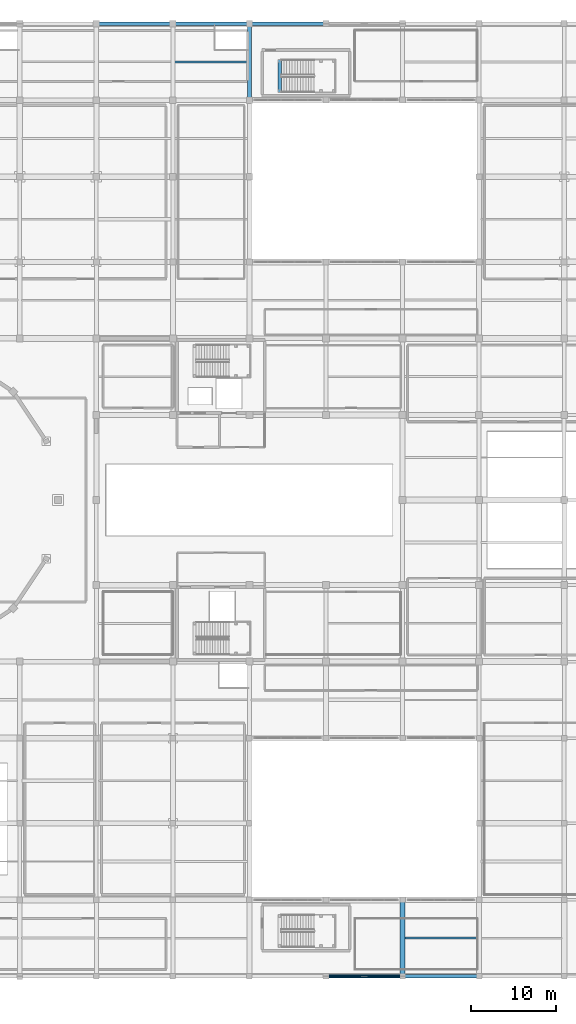
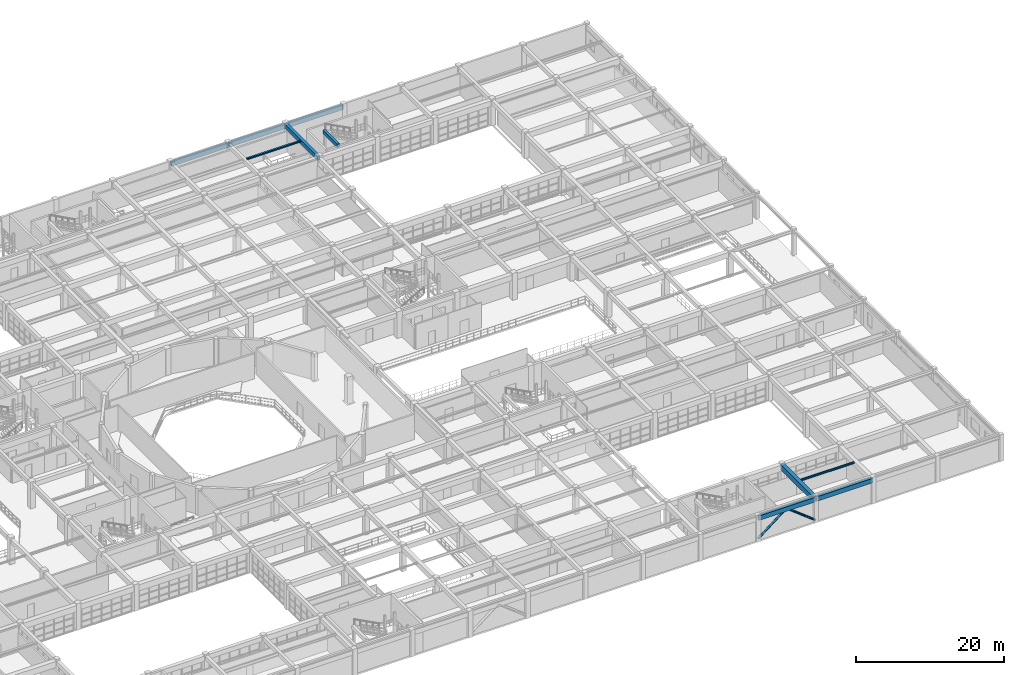
# One storey, part 76 of 133: 10 beams, 2 members.
"""IFC4 building model written with IfcOpenShell, lengths in metres."""

from ifc_helpers import new_model, si_unit, direction, frame, origin, origin_2d, place, context, subcontext, project, spatial, rectangle, hollow_circle, i_section, extrude, material, material_profile, profile_set, type_object, element, save


model = new_model("IFC4")

# Units and contexts
model_context = context("Model", 3, precision=1e-05, world=origin(), true_north=direction((0.0, 1.0)))
body_context = subcontext(model_context, "Body", "Model", "MODEL_VIEW")
ifc_project = project(units=[si_unit("LENGTHUNIT", "METRE"), si_unit("AREAUNIT", "SQUARE_METRE"), si_unit("VOLUMEUNIT", "CUBIC_METRE"), si_unit("PLANEANGLEUNIT", "RADIAN"), si_unit("MASSUNIT", "GRAM", prefix="KILO")], contexts=[model_context])

# Site, building, storey
site_placement = place(None, origin())
site = spatial("IfcSite", under=ifc_project, at=site_placement, CompositionType="ELEMENT")
building_placement = place(site_placement, origin())
building = spatial("IfcBuilding", under=site, at=building_placement, Name="Miravela Opera House", CompositionType="ELEMENT")
storey_placement = place(building_placement, frame((0.0, 0.0, 5.10009765625)))
storey = spatial("IfcBuildingStorey", under=building, at=storey_placement, Name="L01", CompositionType="ELEMENT", Elevation=5.10009765625)

# Beams
ifc_material_1 = material(Name="Concrete C35/45", Category="concrete")
ifc_material_profile_1 = material_profile(ifc_material_1, rectangle(XDim=0.39990234375, YDim=0.60009765625, at=origin_2d()), Name="RC-BM-400X600")
ifc_profile_set_1 = profile_set([ifc_material_profile_1])
beam_type_1 = type_object("IfcBeamType", Name="STR-BM-RC400X600", PredefinedType="JOIST", material=ifc_profile_set_1)
beam_1_placement = place(storey_placement, frame((120.5400390625, 103.89990234375, 4.119873046875), z_axis=(0.0, 1.0, 0.0), x_axis=(-1.0, 0.0, 0.0)))
element("IfcBeam", 1, at=beam_1_placement, inside=storey, type_object=beam_type_1, Name="Stair ST-09 Opening Header Trimmer Beam 02", PredefinedType="JOIST", context=body_context, shape_type="SweptSolid", body=[
    extrude(rectangle(XDim=0.39990234375, YDim=0.60009765625, at=origin_2d()), origin(), (0.0, 0.0, 1.0), 3.880126953125),
])
ifc_material_profile_2 = material_profile(ifc_material_1, rectangle(XDim=0.449951171875, YDim=0.64990234375, at=origin_2d()), Name="RC-BM-450X650")
ifc_profile_set_2 = profile_set([ifc_material_profile_2])
beam_type_2 = type_object("IfcBeamType", Name="STR-BM-RC450X650", PredefinedType="BEAM", material=ifc_profile_set_2)
beam_2_placement = place(storey_placement, frame((117.0, 103.080078125, 3.8349609375), z_axis=(0.0, 1.0, 0.0), x_axis=(-1.0, 0.0, 0.0)))
element("IfcBeam", 2, at=beam_2_placement, inside=storey, type_object=beam_type_2, Name="Floor Girder L01 14/L-M", PredefinedType="BEAM", context=body_context, shape_type="SweptSolid", body=[
    extrude(rectangle(XDim=0.449951171875, YDim=0.64990234375, at=origin_2d()), origin(), (0.0, 0.0, 1.0), 8.83984375),
])
ifc_material_2 = material(Name="Concrete C40/50", Category="concrete")
ifc_material_profile_3 = material_profile(ifc_material_2, rectangle(XDim=0.60009765625, YDim=0.85009765625, at=origin_2d()), Name="RC-BM-600X850")
ifc_profile_set_3 = profile_set([ifc_material_profile_3])
beam_type_3 = type_object("IfcBeamType", Name="STR-BM-RC600X850", PredefinedType="BEAM", material=ifc_profile_set_3)
beam_3_placement = place(storey_placement, frame((135.0, 0.080078125, 3.73486328125), z_axis=(0.0, 1.0, 0.0), x_axis=(-1.0, 0.0, 0.0)))
element("IfcBeam", 3, at=beam_3_placement, inside=storey, type_object=beam_type_3, Name="Floor Girder L01 16/A-B", PredefinedType="BEAM", context=body_context, shape_type="SweptSolid", body=[
    extrude(rectangle(XDim=0.60009765625, YDim=0.85009765625, at=origin_2d()), origin(), (0.0, 0.0, 1.0), 8.83984375),
])
ifc_material_3 = material(Name="Structural steel ASTM A992 Gr. 50", Category="steel")
ifc_material_profile_4 = material_profile(ifc_material_3, i_section(OverallWidth=0.25390625, OverallDepth=0.2529296875, WebThickness=0.008544921875, FlangeThickness=0.01416015625, FilletRadius=0.011962890625, at=origin_2d()), Name="W250X73")
ifc_profile_set_4 = profile_set([ifc_material_profile_4])
beam_type_4 = type_object("IfcBeamType", Name="STR-BM-W250X73", PredefinedType="JOIST", material=ifc_profile_set_4)
beam_4_placement = place(storey_placement, frame((108.2099609375, 107.5, 4.033447265625), z_axis=(1.0, 0.0, 0.0), x_axis=(0.0, 1.0, 0.0)))
element("IfcBeam", 4, at=beam_4_placement, inside=storey, type_object=beam_type_4, Name="Secondary Floor Joist L01 13-14/L-M", PredefinedType="JOIST", context=body_context, shape_type="SweptSolid", body=[
    extrude(i_section(OverallWidth=0.25390625, OverallDepth=0.2529296875, WebThickness=0.008544921875, FlangeThickness=0.01416015625, FilletRadius=0.011962890625, at=origin_2d()), origin(), (0.0, 0.0, 1.0), 8.580078125),
])
ifc_material_profile_5 = material_profile(ifc_material_3, i_section(OverallWidth=0.202880859375, OverallDepth=0.302978515625, WebThickness=0.007568359375, FlangeThickness=0.01318359375, FilletRadius=0.012939453125, at=origin_2d()), Name="W310X60")
ifc_profile_set_5 = profile_set([ifc_material_profile_5])
beam_type_5 = type_object("IfcBeamType", Name="STR-BM-W310X60", PredefinedType="JOIST", material=ifc_profile_set_5)
beam_5_placement = place(storey_placement, frame((135.284912109375, 4.5, 4.00830078125), z_axis=(1.0, 0.0, 0.0), x_axis=(0.0, 1.0, 0.0)))
element("IfcBeam", 5, at=beam_5_placement, inside=storey, type_object=beam_type_5, Name="Secondary Floor Joist L01 16-17/A-B", PredefinedType="JOIST", context=body_context, shape_type="SweptSolid", body=[
    extrude(i_section(OverallWidth=0.202880859375, OverallDepth=0.302978515625, WebThickness=0.007568359375, FlangeThickness=0.01318359375, FilletRadius=0.012939453125, at=origin_2d()), origin(), (0.0, 0.0, 1.0), 8.43017578125),
])

# Members
ifc_material_4 = material(Name="Hollow structural steel ASTM A500 Gr. C", Category="steel")
ifc_material_profile_6 = material_profile(ifc_material_4, hollow_circle(Radius=0.177734375, WallThickness=0.011962890625, at=origin_2d()), Name="CHS356X12")
ifc_profile_set_6 = profile_set([ifc_material_profile_6])
member_type = type_object("IfcMemberType", Name="STR-MEM-BRACE-CHS356", PredefinedType="BRACE", material=ifc_profile_set_6)
for number, where, z_axis, x_axis, name in (
    (6, (126.0, 0.0, 0.2998046875), (0.788501476184, 0.0, 0.615032862581), (0.0, 1.0, 0.0), "Concentric Braced Frame BF-S3 L01 Left Brace"),
    (7, (135.0, 0.0, 0.2998046875), (-0.788501476184, 0.0, 0.615032862581), (0.0, -1.0, 0.0), "Concentric Braced Frame BF-S3 L01 Right Brace"),
):
    element("IfcMember", number, at=place(storey_placement, frame(where, z_axis=z_axis, x_axis=x_axis)), inside=storey, type_object=member_type, Name=name, PredefinedType="BRACE", context=body_context, shape_type="SweptSolid", body=[
        extrude(hollow_circle(Radius=0.177734375, WallThickness=0.011962890625, at=origin_2d()), origin(), (0.0, 0.0, 1.0), 5.70703125),
    ])

# Beams
ifc_material_profile_7 = material_profile(ifc_material_1, rectangle(XDim=0.39990234375, YDim=0.75, at=origin_2d()), Name="RC-SPN-400X750")
ifc_profile_set_7 = profile_set([ifc_material_profile_7])
beam_type_6 = type_object("IfcBeamType", Name="STR-SPN-RC400X750", PredefinedType="SPANDREL", material=ifc_profile_set_7)
for number, where, z_axis, x_axis, name in (
    (8, (99.080078125, 112.0, 3.784912109375), (1.0, 0.0, 0.0), (0.0, 1.0, 0.0), "Floor Girder L01 12-13/M"),
    (9, (108.080078125, 112.0, 3.784912109375), (1.0, 0.0, 0.0), (0.0, 1.0, 0.0), "Floor Girder L01 13-14/M"),
    (10, (117.080078125, 112.0, 3.784912109375), (1.0, 0.0, 0.0), (0.0, 1.0, 0.0), "Floor Girder L01 14-15/M"),
    (11, (126.080078125, 0.0, 3.784912109375), (1.0, 0.0, 0.0), (0.0, 1.0, 0.0), "Floor Girder L01 15-16/A"),
    (12, (135.080078125, 0.0, 3.784912109375), (1.0, 0.0, 0.0), (0.0, 1.0, 0.0), "Floor Girder L01 16-17/A"),
):
    element("IfcBeam", number, at=place(storey_placement, frame(where, z_axis=z_axis, x_axis=x_axis)), inside=storey, type_object=beam_type_6, Name=name, PredefinedType="SPANDREL", context=body_context, shape_type="SweptSolid", body=[
        extrude(rectangle(XDim=0.39990234375, YDim=0.75, at=origin_2d()), origin(), (0.0, 0.0, 1.0), 8.83984375),
    ])

save(model, "model.ifc")
